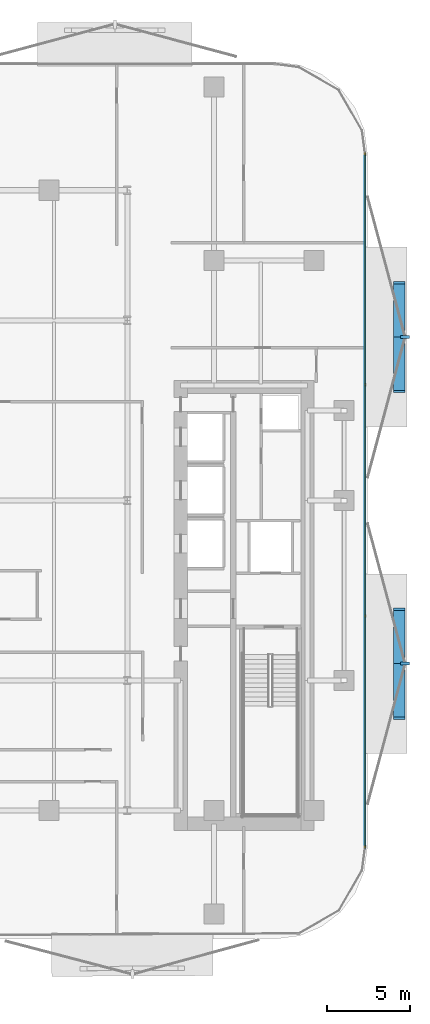
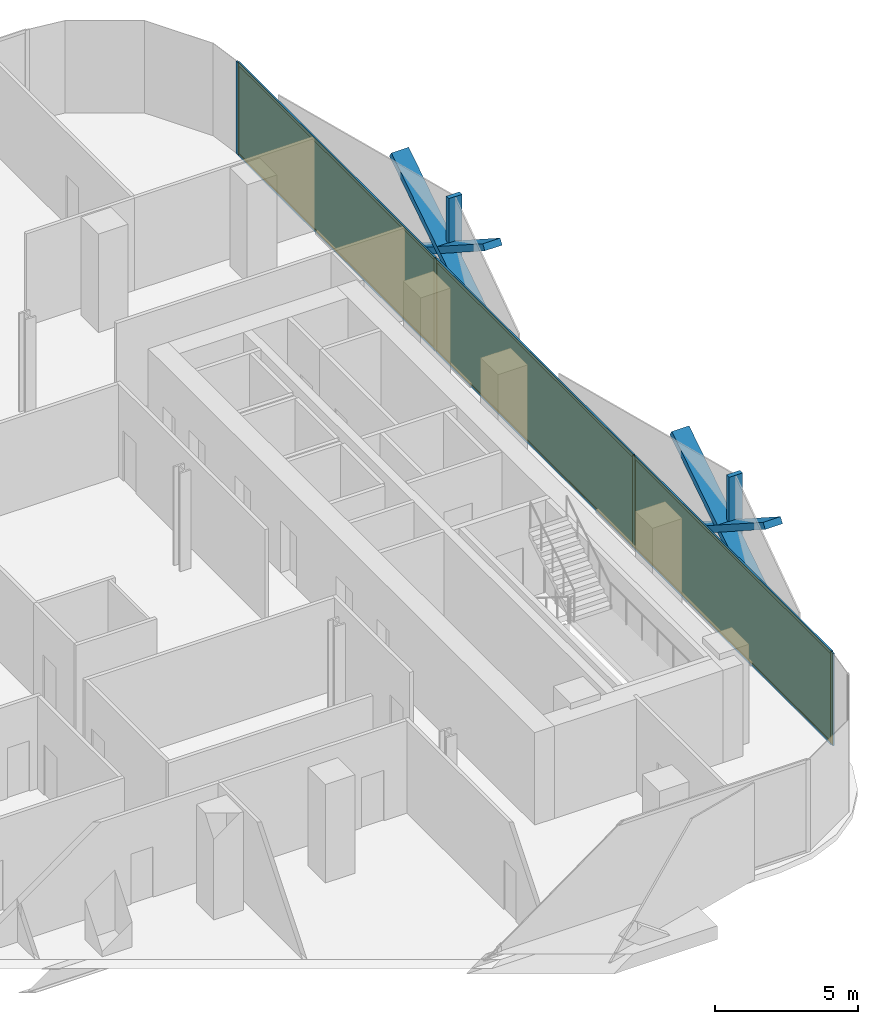
# One storey, part 9 of 15: 16 members, 3 plates, 1 curtain wall.
"""IFC4 building model written with IfcOpenShell, lengths in metres."""

from ifc_helpers import new_model, si_unit, direction, frame, frame_2d, origin, origin_2d, place, context, subcontext, project, spatial, rectangle, extrude, material, layer, layer_set, material_profile, profile_set, type_object, element, aggregate, save


model = new_model("IFC4")

# Units and contexts
model_context = context("Model", 3, precision=1e-05, world=origin(), true_north=direction((0.0, 1.0)))
body_context = subcontext(model_context, "Body", "Model", "MODEL_VIEW")
ifc_project = project(units=[si_unit("LENGTHUNIT", "METRE"), si_unit("AREAUNIT", "SQUARE_METRE"), si_unit("VOLUMEUNIT", "CUBIC_METRE"), si_unit("PLANEANGLEUNIT", "RADIAN"), si_unit("MASSUNIT", "GRAM", prefix="KILO")], contexts=[model_context])

# Member
ifc_material_1 = material(Name="Anodised Bronze Aluminium 6063-T6", Category="aluminium")
ifc_material_profile_1 = material_profile(ifc_material_1, rectangle(XDim=0.260009765625, YDim=0.699951171875, at=origin_2d()))
ifc_profile_set_1 = profile_set([ifc_material_profile_1], Name="Anodised Bronze Aluminium 6063-T6")
member_type_1 = type_object("IfcMemberType", Name="Bronze Diamond Solar-Screen Lattice Rib BDL-700", PredefinedType="MULLION", material=ifc_profile_set_1)
site_placement = place(None, origin())
building_placement = place(site_placement, origin())
storey_placement = place(building_placement, frame((0.0, 0.0, 135.199951171875)))
member_1_placement = place(storey_placement, frame((25.5, 13.060546875, -0.1298828125), z_axis=(0.0, -0.841066075866, 0.540932395062), x_axis=(0.0, -0.540932395062, -0.841066075866)))
member_1 = element("IfcMember", 1, at=member_1_placement, type_object=member_type_1, Name="L31 Bronze Diamond Solar Screen Lattice Rib 199A", PredefinedType="MULLION", context=body_context, shape_type="SweptSolid", body=[
    extrude(rectangle(XDim=0.260009765625, YDim=0.699951171875, at=origin_2d()), origin(), (0.0, 0.0, 1.0), 7.76416015625),
])

member_2_placement = place(storey_placement, frame((25.5, 6.5302734375, -0.1298828125), z_axis=(0.0, 0.841066075866, 0.540932395062), x_axis=(0.0, 0.540932395062, -0.841066075866)))
member_2 = element("IfcMember", 2, at=member_2_placement, type_object=member_type_1, Name="L31 Bronze Diamond Solar Screen Lattice Rib 199B", PredefinedType="MULLION", context=body_context, shape_type="SweptSolid", body=[
    extrude(rectangle(XDim=0.260009765625, YDim=0.699951171875, at=origin_2d()), origin(), (0.0, 0.0, 1.0), 7.76416015625),
])

member_3_placement = place(storey_placement, frame((25.5, -6.5302734375, -0.1298828125), z_axis=(0.0, -0.841066075866, 0.540932395062), x_axis=(0.0, -0.540932395062, -0.841066075866)))
member_3 = element("IfcMember", 3, at=member_3_placement, type_object=member_type_1, Name="L31 Bronze Diamond Solar Screen Lattice Rib 200A", PredefinedType="MULLION", context=body_context, shape_type="SweptSolid", body=[
    extrude(rectangle(XDim=0.260009765625, YDim=0.699951171875, at=origin_2d()), origin(), (0.0, 0.0, 1.0), 7.76416015625),
])

member_4_placement = place(storey_placement, frame((25.5, -13.060546875, -0.1298828125), z_axis=(0.0, 0.841066075866, 0.540932395062), x_axis=(0.0, 0.540932395062, -0.841066075866)))
member_4 = element("IfcMember", 4, at=member_4_placement, type_object=member_type_1, Name="L31 Bronze Diamond Solar Screen Lattice Rib 200B", PredefinedType="MULLION", context=body_context, shape_type="SweptSolid", body=[
    extrude(rectangle(XDim=0.260009765625, YDim=0.699951171875, at=origin_2d()), origin(), (0.0, 0.0, 1.0), 7.76416015625),
])

ifc_material_2 = material(Name="Anodised Bronze Aluminium 6063-T6", Category="aluminium")
ifc_material_profile_2 = material_profile(ifc_material_2, rectangle(XDim=0.179931640625, YDim=0.5400390625, at=origin_2d()))
ifc_profile_set_2 = profile_set([ifc_material_profile_2], Name="Anodised Bronze Aluminium 6063-T6")
member_type_2 = type_object("IfcMemberType", Name="Bronze Solar-Screen Vertical Fold Fin BSF-540", PredefinedType="MULLION", material=ifc_profile_set_2)
member_5_placement = place(storey_placement, frame((25.840087890625, 9.79541015625, -0.1298828125), z_axis=(0.0, 0.0, 1.0), x_axis=(0.0, -1.0, 0.0)))
member_5 = element("IfcMember", 5, at=member_5_placement, type_object=member_type_2, Name="L31 Bronze Solar Screen Vertical Fin 199", PredefinedType="MULLION", context=body_context, shape_type="SweptSolid", body=[
    extrude(rectangle(XDim=0.179931640625, YDim=0.5400390625, at=origin_2d()), origin(), (0.0, 0.0, 1.0), 4.199951171875),
])

member_6_placement = place(storey_placement, frame((25.840087890625, -9.79541015625, -0.1298828125), z_axis=(0.0, 0.0, 1.0), x_axis=(0.0, -1.0, 0.0)))
member_6 = element("IfcMember", 6, at=member_6_placement, type_object=member_type_2, Name="L31 Bronze Solar Screen Vertical Fin 200", PredefinedType="MULLION", context=body_context, shape_type="SweptSolid", body=[
    extrude(rectangle(XDim=0.179931640625, YDim=0.5400390625, at=origin_2d()), origin(), (0.0, 0.0, 1.0), 4.199951171875),
])

ifc_material_3 = material(Name="Anodised Bronze Aluminium 6063-T6", Category="aluminium")
ifc_material_profile_3 = material_profile(ifc_material_3, rectangle(XDim=0.06494140625, YDim=0.175048828125, at=origin_2d()))
ifc_profile_set_3 = profile_set([ifc_material_profile_3], Name="Anodised Bronze Aluminium 6063-T6")
member_type_3 = type_object("IfcMemberType", Name="CW-Z2 Mullion 65x175", PredefinedType="MULLION", material=ifc_profile_set_3)
member_7_placement = place(storey_placement, frame((23.4599609375, 20.75830078125, 0.0), z_axis=(0.0, 0.0, 1.0), x_axis=(1.0, 0.0, 0.0)))
member_7 = element("IfcMember", 7, at=member_7_placement, type_object=member_type_3, Name="CW-Z2 mullion 1", PredefinedType="MULLION", context=body_context, shape_type="SweptSolid", body=[
    extrude(rectangle(XDim=0.06494140625, YDim=0.175048828125, at=origin_2d()), origin(), (0.0, 0.0, 1.0), 3.93994140625),
])

member_8_placement = place(storey_placement, frame((23.4599609375, 6.93017578125, 0.0), z_axis=(0.0, 0.0, 1.0), x_axis=(1.0, 0.0, 0.0)))
member_8 = element("IfcMember", 8, at=member_8_placement, type_object=member_type_3, Name="CW-Z2 mullion 2", PredefinedType="MULLION", context=body_context, shape_type="SweptSolid", body=[
    extrude(rectangle(XDim=0.06494140625, YDim=0.175048828125, at=origin_2d()), origin(), (0.0, 0.0, 1.0), 3.93994140625),
])

member_9_placement = place(storey_placement, frame((23.4599609375, -6.93017578125, 0.0), z_axis=(0.0, 0.0, 1.0), x_axis=(1.0, 0.0, 0.0)))
member_9 = element("IfcMember", 9, at=member_9_placement, type_object=member_type_3, Name="CW-Z2 mullion 3", PredefinedType="MULLION", context=body_context, shape_type="SweptSolid", body=[
    extrude(rectangle(XDim=0.06494140625, YDim=0.175048828125, at=origin_2d()), origin(), (0.0, 0.0, 1.0), 3.93994140625),
])

member_10_placement = place(storey_placement, frame((23.4599609375, -20.75830078125, 0.0), z_axis=(0.0, 0.0, 1.0), x_axis=(1.0, 0.0, 0.0)))
member_10 = element("IfcMember", 10, at=member_10_placement, type_object=member_type_3, Name="CW-Z2 mullion 4", PredefinedType="MULLION", context=body_context, shape_type="SweptSolid", body=[
    extrude(rectangle(XDim=0.06494140625, YDim=0.175048828125, at=origin_2d()), origin(), (0.0, 0.0, 1.0), 3.93994140625),
])

ifc_material_4 = material(Name="Anodised Bronze Aluminium 6063-T6", Category="aluminium")
ifc_material_profile_4 = material_profile(ifc_material_4, rectangle(XDim=0.06494140625, YDim=0.135009765625, at=origin_2d()))
ifc_profile_set_4 = profile_set([ifc_material_profile_4], Name="Anodised Bronze Aluminium 6063-T6")
member_type_4 = type_object("IfcMemberType", Name="CW-Z2 Transom 65x135", PredefinedType="USERDEFINED", material=ifc_profile_set_4)
member_11_placement = place(storey_placement, frame((23.4599609375, 20.725830078125, 0.032470703125), z_axis=(0.0, -1.0, 0.0), x_axis=(1.0, 0.0, 0.0)))
member_11 = element("IfcMember", 11, at=member_11_placement, type_object=member_type_4, Name="CW-Z2 transom 1.1", ObjectType="TRANSOM", PredefinedType="USERDEFINED", context=body_context, shape_type="SweptSolid", body=[
    extrude(rectangle(XDim=0.06494140625, YDim=0.135009765625, at=origin_2d()), origin(), (0.0, 0.0, 1.0), 13.76318359375),
])

member_12_placement = place(storey_placement, frame((23.4599609375, 20.725830078125, 3.907470703125), z_axis=(0.0, -1.0, 0.0), x_axis=(1.0, 0.0, 0.0)))
member_12 = element("IfcMember", 12, at=member_12_placement, type_object=member_type_4, Name="CW-Z2 transom 1.2", ObjectType="TRANSOM", PredefinedType="USERDEFINED", context=body_context, shape_type="SweptSolid", body=[
    extrude(rectangle(XDim=0.06494140625, YDim=0.135009765625, at=origin_2d()), origin(), (0.0, 0.0, 1.0), 13.76318359375),
])

member_13_placement = place(storey_placement, frame((23.4599609375, 6.897705078125, 0.032470703125), z_axis=(0.0, -1.0, 0.0), x_axis=(1.0, 0.0, 0.0)))
member_13 = element("IfcMember", 13, at=member_13_placement, type_object=member_type_4, Name="CW-Z2 transom 2.1", ObjectType="TRANSOM", PredefinedType="USERDEFINED", context=body_context, shape_type="SweptSolid", body=[
    extrude(rectangle(XDim=0.06494140625, YDim=0.135009765625, at=origin_2d()), origin(), (0.0, 0.0, 1.0), 13.79541015625),
])

member_14_placement = place(storey_placement, frame((23.4599609375, 6.897705078125, 3.907470703125), z_axis=(0.0, -1.0, 0.0), x_axis=(1.0, 0.0, 0.0)))
member_14 = element("IfcMember", 14, at=member_14_placement, type_object=member_type_4, Name="CW-Z2 transom 2.2", ObjectType="TRANSOM", PredefinedType="USERDEFINED", context=body_context, shape_type="SweptSolid", body=[
    extrude(rectangle(XDim=0.06494140625, YDim=0.135009765625, at=origin_2d()), origin(), (0.0, 0.0, 1.0), 13.79541015625),
])

member_15_placement = place(storey_placement, frame((23.4599609375, -6.962646484375, 0.032470703125), z_axis=(0.0, -1.0, 0.0), x_axis=(1.0, 0.0, 0.0)))
member_15 = element("IfcMember", 15, at=member_15_placement, type_object=member_type_4, Name="CW-Z2 transom 3.1", ObjectType="TRANSOM", PredefinedType="USERDEFINED", context=body_context, shape_type="SweptSolid", body=[
    extrude(rectangle(XDim=0.06494140625, YDim=0.135009765625, at=origin_2d()), origin(), (0.0, 0.0, 1.0), 13.76318359375),
])

member_16_placement = place(storey_placement, frame((23.4599609375, -6.962646484375, 3.907470703125), z_axis=(0.0, -1.0, 0.0), x_axis=(1.0, 0.0, 0.0)))
member_16 = element("IfcMember", 16, at=member_16_placement, type_object=member_type_4, Name="CW-Z2 transom 3.2", ObjectType="TRANSOM", PredefinedType="USERDEFINED", context=body_context, shape_type="SweptSolid", body=[
    extrude(rectangle(XDim=0.06494140625, YDim=0.135009765625, at=origin_2d()), origin(), (0.0, 0.0, 1.0), 13.76318359375),
])

# Plate
ifc_material_5 = material(Name="Low-E Solar Control Laminated Glass", Category="glass")
ifc_layer_1 = layer(ifc_material_5, 0.028076171875, Name="Low-E Solar Control Laminated Glass")
ifc_layer_set_1 = layer_set([ifc_layer_1], Name="Low-E Solar Control Laminated Glass")
plate_type = type_object("IfcPlateType", Name="CW-Z2 Low-E Double Glazed Panel 28mm", PredefinedType="CURTAIN_PANEL", material=ifc_layer_set_1)
plate_1_placement = place(storey_placement, frame((23.4599609375, 13.84423828125, 0.06494140625), z_axis=(0.0, 0.0, 1.0), x_axis=(0.0, -1.0, 0.0)))
plate_1 = element("IfcPlate", 17, at=plate_1_placement, type_object=plate_type, Name="CW-Z2 panel 1.1", PredefinedType="CURTAIN_PANEL", context=body_context, shape_type="SweptSolid", body=[
    extrude(rectangle(XDim=13.762939453125, YDim=0.028076171875, at=origin_2d()), origin(), (0.0, 0.0, 1.0), 3.81005859375),
])

plate_2_placement = place(storey_placement, frame((23.4599609375, 0.0, 0.06494140625), z_axis=(0.0, 0.0, 1.0), x_axis=(0.0, -1.0, 0.0)))
plate_2 = element("IfcPlate", 18, at=plate_2_placement, type_object=plate_type, Name="CW-Z2 panel 2.1", PredefinedType="CURTAIN_PANEL", context=body_context, shape_type="SweptSolid", body=[
    extrude(rectangle(XDim=13.795654296875, YDim=0.028076171875, at=origin_2d()), origin(), (0.0, 0.0, 1.0), 3.81005859375),
])

plate_3_placement = place(storey_placement, frame((23.4599609375, -13.84423828125, 0.06494140625), z_axis=(0.0, 0.0, 1.0), x_axis=(0.0, -1.0, 0.0)))
plate_3 = element("IfcPlate", 19, at=plate_3_placement, type_object=plate_type, Name="CW-Z2 panel 3.1", PredefinedType="CURTAIN_PANEL", context=body_context, shape_type="SweptSolid", body=[
    extrude(rectangle(XDim=13.762939453125, YDim=0.028076171875, at=origin_2d()), origin(), (0.0, 0.0, 1.0), 3.81005859375),
])

# Site, building, storey
site = spatial("IfcSite", under=ifc_project, at=site_placement, CompositionType="ELEMENT")
building = spatial("IfcBuilding", under=site, at=building_placement, Name="Khairoan Windgate Tower", CompositionType="ELEMENT")
storey = spatial("IfcBuildingStorey", under=building, at=storey_placement, Name="L31", CompositionType="ELEMENT", Elevation=135.199951171875)

# Curtain wall
ifc_material_6 = material(Name="Anodised Bronze Aluminium 6063-T6", Category="aluminium")
ifc_layer_2 = layer(ifc_material_6, 0.175048828125, Name="Anodised Bronze Aluminium 6063-T6")
ifc_layer_set_2 = layer_set([ifc_layer_2], Name="Anodised Bronze Aluminium 6063-T6")
curtain_wall_type = type_object("IfcCurtainWallType", Name="Mid-Rise Office Unitised Curtain Wall CW-Z2", PredefinedType="NOTDEFINED", material=ifc_layer_set_2)
curtain_wall_placement = place(storey_placement, frame((23.4599609375, 20.790771484375, 0.0), z_axis=(0.0, 0.0, 1.0), x_axis=(0.0, -1.0, 0.0)))
curtain_wall = element("IfcCurtainWall", 20, at=curtain_wall_placement, inside=storey, type_object=curtain_wall_type, Name="L31 Unitised Curtain Wall 16", PredefinedType="NOTDEFINED", context=body_context, shape_type="SweptSolid", body=[
    extrude(rectangle(XDim=41.58154296875, YDim=0.010009765625, at=frame_2d((20.790771484375, 0.0))), origin(), (0.0, 0.0, 1.0), 3.93994140625),
])

aggregate(curtain_wall, [member_7, member_8, member_9, member_10, member_11, member_12, plate_1, member_13, member_14, plate_2, member_15, member_16, plate_3, member_1, member_2, member_5, member_3, member_4, member_6])

save(model, "model.ifc")
